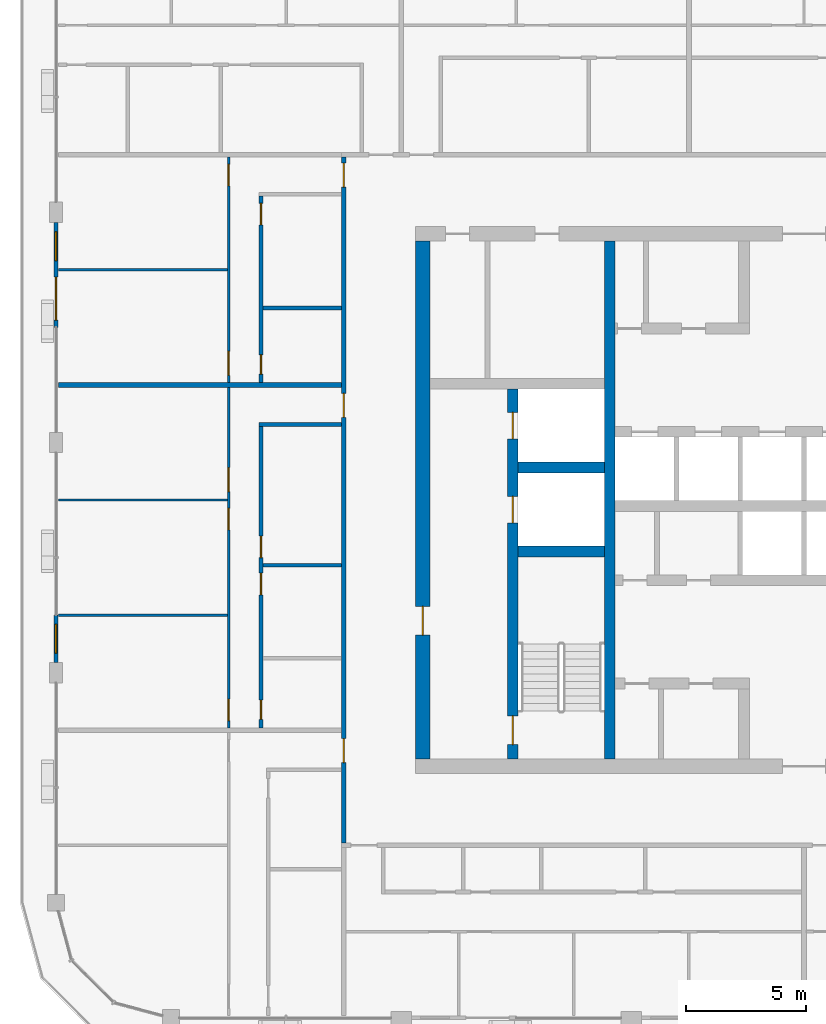
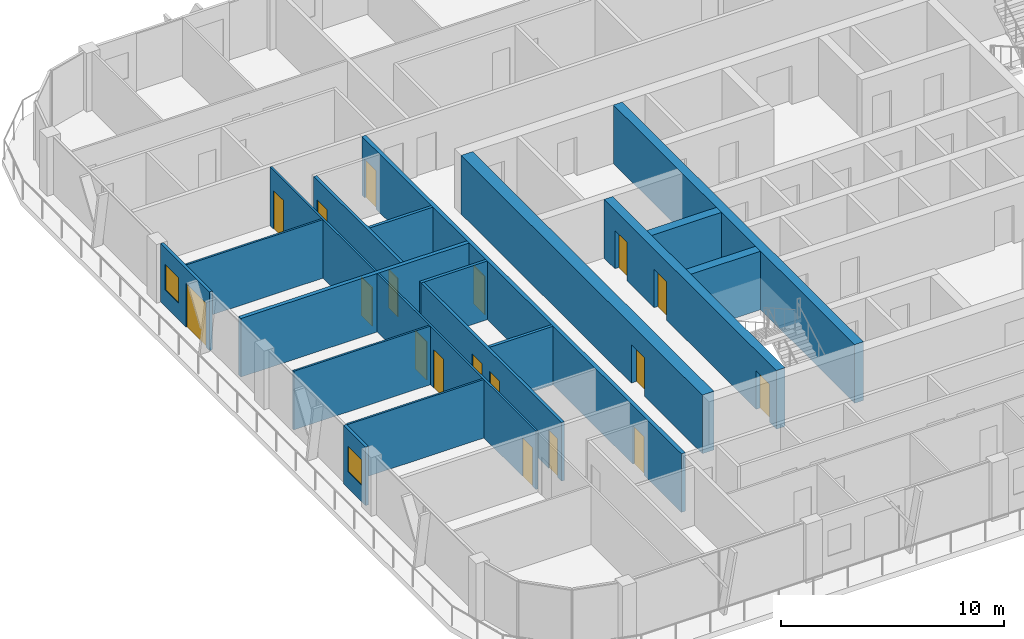
# One storey, part 10 of 21: 19 walls, 18 doors, 2 windows, 20 openings.
"""IFC4 building model written with IfcOpenShell, lengths in metres."""

import ifcopenshell
import ifcopenshell.guid

model = None  # the IFC model being written
_history = None  # IfcOwnerHistory: only IFC2X3 demands one
_inside = {}  # id of a spatial element -> (the spatial element, [elements in it])
_under = {}  # id of a project, library or spatial element -> (it, [spatial elements below it])
_declared = {}  # id of a project -> (the project, [libraries it declares])
_typed = {}  # id of a type object -> (the type object, [elements of that type])
_made_of = {}  # id of a material, layer set ... -> (it, [elements and type objects made of it])


def new_model(schema):
    """Start an empty IFC model of exactly this schema.

    Asked for "IFC4X3", IfcOpenShell would pick the latest addendum, in which some entities
    have other attributes; the version numbers below select the first issue.
    IFC2X3 requires an IfcOwnerHistory on every rooted entity: one is made here for all.
    """
    global model, _history
    if schema == "IFC4X3":
        model = ifcopenshell.file(schema_version=(4, 3, 0, 0))
    else:
        model = ifcopenshell.file(schema=schema)
    _inside.clear()
    _under.clear()
    _declared.clear()
    _typed.clear()
    _made_of.clear()
    _history = None
    if model.schema == "IFC2X3":
        org = make("IfcOrganization", Name="unknown")
        user = make(
            "IfcPersonAndOrganization",
            ThePerson=make("IfcPerson", FamilyName="unknown"),
            TheOrganization=org,
        )
        app = make(
            "IfcApplication",
            ApplicationDeveloper=org,
            Version="unknown",
            ApplicationFullName="unknown",
            ApplicationIdentifier="unknown",
        )
        _history = make(
            "IfcOwnerHistory",
            OwningUser=user,
            OwningApplication=app,
            ChangeAction="ADDED",
            CreationDate=0,
        )
    return model


def make(cls, **values):
    """One entity of the class cls with the attributes given. An attribute that is None is left unset."""
    return model.create_entity(
        cls, **{name: value for name, value in values.items() if value is not None}
    )


def rooted(cls, **values):
    """An entity with a GlobalId (a new one), such as an element, a storey or a relation."""
    return make(cls, GlobalId=ifcopenshell.guid.new(), OwnerHistory=_history, **values)


def si_unit(unit_type, name, prefix=None):
    """IfcSIUnit, for example si_unit("LENGTHUNIT", "METRE", prefix="MILLI")."""
    return make("IfcSIUnit", UnitType=unit_type, Prefix=prefix, Name=name)


def assignment(units):
    """IfcUnitAssignment: the units of a project."""
    return None if units is None else make("IfcUnitAssignment", Units=units)


def point(xyz):
    """IfcCartesianPoint."""
    return None if xyz is None else make("IfcCartesianPoint", Coordinates=xyz)


def direction(xyz):
    """IfcDirection."""
    return None if xyz is None else make("IfcDirection", DirectionRatios=xyz)


def frame(location, z_axis=None, x_axis=None):
    """IfcAxis2Placement3D, a coordinate frame: its origin and axes. An axis left out is left unset."""
    return make(
        "IfcAxis2Placement3D",
        Location=point(location),
        Axis=direction(z_axis),
        RefDirection=direction(x_axis),
    )


def frame_2d(location, x_axis=None):
    """IfcAxis2Placement2D, a coordinate frame in the plane: its origin and x axis."""
    return make(
        "IfcAxis2Placement2D", Location=point(location), RefDirection=direction(x_axis)
    )


def origin():
    """The frame at (0, 0, 0) with its axes left unset."""
    return frame((0.0, 0.0, 0.0))


def place(relative_to, where):
    """IfcLocalPlacement: puts the frame where relative to a parent placement (None: the world)."""
    return make(
        "IfcLocalPlacement", PlacementRelTo=relative_to, RelativePlacement=where
    )


def context(
    kind, dimensions, precision=None, world=None, true_north=None, identifier=None
):
    """IfcGeometricRepresentationContext, for example the 3D "Model" context."""
    return make(
        "IfcGeometricRepresentationContext",
        ContextIdentifier=identifier,
        ContextType=kind,
        CoordinateSpaceDimension=dimensions,
        Precision=precision,
        WorldCoordinateSystem=world,
        TrueNorth=true_north,
    )


def subcontext(parent, identifier, kind, view, scale=None):
    """IfcGeometricRepresentationSubContext, for example "Body" below "Model"."""
    return make(
        "IfcGeometricRepresentationSubContext",
        ContextIdentifier=identifier,
        ContextType=kind,
        ParentContext=parent,
        TargetScale=scale,
        TargetView=view,
    )


def project(units=None, contexts=None):
    """IfcProject with its units and contexts."""
    return rooted(
        "IfcProject",
        Name="project",
        RepresentationContexts=contexts,
        UnitsInContext=assignment(units),
    )


def spatial(cls, under=None, at=None, **own):
    """A site, building, storey or space (cls), placed at a placement, below another one or the project."""
    s = rooted(cls, ObjectPlacement=at, **own)
    if under is not None:
        _under.setdefault(under.id(), (under, []))[1].append(s)
    return s


def profile(cls, at=None, kind="AREA", **sizes):
    """A parametric profile (cls). Its sizes go by their IFC names, for example OverallWidth=200.0."""
    return make(cls, ProfileType=kind, Position=at, **sizes)


def rectangle(**sizes):
    """IfcRectangleProfileDef."""
    return profile("IfcRectangleProfileDef", **sizes)


def extrude(swept, where, along, depth):
    """IfcExtrudedAreaSolid: the profile swept, set in the frame where, extruded along a direction by depth."""
    return make(
        "IfcExtrudedAreaSolid",
        SweptArea=swept,
        Position=where,
        ExtrudedDirection=direction(along),
        Depth=depth,
    )


def shape(context_of_items, identifier, shape_type, items):
    """IfcShapeRepresentation: the items that make up one representation, for example the "Body"."""
    return make(
        "IfcShapeRepresentation",
        ContextOfItems=context_of_items,
        RepresentationIdentifier=identifier,
        RepresentationType=shape_type,
        Items=items,
    )


def material(Name=None, Category=None):
    """IfcMaterial."""
    return make("IfcMaterial", Name=Name, Category=Category)


def layer(
    of_material, thickness, ventilated=None, Name=None, Category=None, Priority=None
):
    """IfcMaterialLayer: one layer of a wall or slab, of a material (None: an air gap)."""
    return make(
        "IfcMaterialLayer",
        Material=of_material,
        LayerThickness=thickness,
        IsVentilated=ventilated,
        Name=Name,
        Category=Category,
        Priority=Priority,
    )


def layer_set(layers, Name=None):
    """IfcMaterialLayerSet."""
    return make("IfcMaterialLayerSet", MaterialLayers=layers, LayerSetName=Name)


def made_of(thing, what):
    """Note that an element or type object is made of a material, layer set ...; save() writes the relation."""
    if what is not None:
        _made_of.setdefault(what.id(), (what, []))[1].append(thing)
    return thing


def type_object(cls, material=None, **own):
    """A type object (cls), such as IfcWallType, which elements share."""
    return made_of(rooted(cls, **own), material)


def element(
    cls,
    number,
    at=None,
    inside=None,
    cuts=None,
    type_object=None,
    material=None,
    context=None,
    identifier="Body",
    shape_type=None,
    held_by="IfcProductDefinitionShape",
    body=None,
    shapes=None,
    **own,
):
    """One element of the class cls, such as IfcWall. Its Tag is "e" and its number.

    at: its placement. inside: the storey or other place that contains it. cuts: it is an
    opening in that element (IfcRelVoidsElement). A single representation is given by context,
    identifier, shape_type and body (its items); several are given by shapes. held_by: the class
    of the entity that holds the representations. save() writes the other relations.
    """
    e = rooted(cls, Tag="e%d" % number, ObjectPlacement=at, **own)
    if body is not None:
        shapes = [shape(context, identifier, shape_type, body)]
    if shapes is not None:
        e.Representation = make(held_by, Representations=shapes)
    if inside is not None:
        _inside.setdefault(inside.id(), (inside, []))[1].append(e)
    if cuts is not None:
        rooted(
            "IfcRelVoidsElement", RelatingBuildingElement=cuts, RelatedOpeningElement=e
        )
    if type_object is not None:
        _typed.setdefault(type_object.id(), (type_object, []))[1].append(e)
    return made_of(e, material)


def fill(opening, filler):
    """IfcRelFillsElement: the door or window that sits in an opening."""
    return rooted(
        "IfcRelFillsElement",
        RelatingOpeningElement=opening,
        RelatedBuildingElement=filler,
    )


def aggregate(whole, parts):
    """IfcRelAggregates: a whole, such as a stair, and the parts it consists of."""
    return rooted("IfcRelAggregates", RelatingObject=whole, RelatedObjects=parts)


def save(model, path):
    """Write the relations noted so far, then the file.

    IfcRelAggregates (storeys below a building ...), IfcRelContainedInSpatialStructure (elements
    in a storey), IfcRelDefinesByType, IfcRelAssociatesMaterial and IfcRelDeclares: one each for
    every whole, place, type object, material and project.
    """
    for whole, parts in _under.values():
        aggregate(whole, parts)
    for where, things in _inside.values():
        rooted(
            "IfcRelContainedInSpatialStructure",
            RelatedElements=things,
            RelatingStructure=where,
        )
    for kind, things in _typed.values():
        rooted("IfcRelDefinesByType", RelatedObjects=things, RelatingType=kind)
    for what, things in _made_of.values():
        rooted("IfcRelAssociatesMaterial", RelatedObjects=things, RelatingMaterial=what)
    for by, libraries in _declared.values():
        rooted("IfcRelDeclares", RelatingContext=by, RelatedDefinitions=libraries)
    model.write(path)


model = new_model("IFC4")

# Units and contexts
model_context = context("Model", 3, precision=1e-05, world=origin(), true_north=direction((0.0, 1.0)))
body_context = subcontext(model_context, "Body", "Model", "MODEL_VIEW")
ifc_project = project(units=[si_unit("LENGTHUNIT", "METRE"), si_unit("AREAUNIT", "SQUARE_METRE"), si_unit("VOLUMEUNIT", "CUBIC_METRE"), si_unit("PLANEANGLEUNIT", "RADIAN"), si_unit("MASSUNIT", "GRAM", prefix="KILO")], contexts=[model_context])

# Site, building, storey
site_placement = place(None, origin())
site = spatial("IfcSite", under=ifc_project, at=site_placement, CompositionType="ELEMENT")
building_placement = place(site_placement, origin())
building = spatial("IfcBuilding", under=site, at=building_placement, Name="Madar Terraces", CompositionType="ELEMENT")
storey_placement = place(building_placement, frame((0.0, 0.0, 245.699951171875)))
storey = spatial("IfcBuildingStorey", under=building, at=storey_placement, Name="L64", CompositionType="ELEMENT", Elevation=245.699951171875)

# Wall, openings, doors
ifc_material_1 = material(Name="Concrete C55/67", Category="concrete")
ifc_layer_1 = layer(ifc_material_1, 0.449951171875)
ifc_layer_set_1 = layer_set([ifc_layer_1], Name="Concrete C55/67 (CIW5 RC wall 450)")
wall_type_1 = type_object("IfcWallType", Name="CIW5 RC wall 450", PredefinedType="SHEAR", material=ifc_layer_set_1)
wall_1_placement = place(storey_placement, frame((19.050048828125, 15.60009765625, 0.0), z_axis=(0.0, 0.0, 1.0), x_axis=(0.0, 1.0, 0.0)))
wall_1 = element("IfcWall", 1, at=wall_1_placement, inside=storey, type_object=wall_type_1, Name="CORE SHAFT WALL", PredefinedType="SHEAR", context=body_context, shape_type="SweptSolid", body=[
    extrude(rectangle(XDim=15.4248046875, YDim=0.449951171875, at=frame_2d((7.71240234375, 0.0))), origin(), (0.0, 0.0, 1.0), 3.199951171875),
])
opening_1_placement = place(wall_1_placement, frame((9.85009765625, 0.0, 0.0)))
opening_1 = element("IfcOpeningElement", 2, at=opening_1_placement, cuts=wall_1, Name="Opening LD", PredefinedType="OPENING", context=body_context, shape_type="SweptSolid", body=[
    extrude(rectangle(XDim=1.10009765625, YDim=2.10009765625, at=frame_2d((0.550048828125, 1.050048828125))), frame((0.0, 0.23486328125, 0.0), z_axis=(0.0, -1.0, 0.0), x_axis=(1.0, 0.0, 0.0)), (0.0, 0.0, 1.0), 0.469970703125),
])
opening_2_placement = place(wall_1_placement, frame((13.35009765625, 0.0, 0.0)))
opening_2 = element("IfcOpeningElement", 3, at=opening_2_placement, cuts=wall_1, Name="Opening LD", PredefinedType="OPENING", context=body_context, shape_type="SweptSolid", body=[
    extrude(rectangle(XDim=1.10009765625, YDim=2.10009765625, at=frame_2d((0.550048828125, 1.050048828125))), frame((0.0, 0.23486328125, 0.0), z_axis=(0.0, -1.0, 0.0), x_axis=(1.0, 0.0, 0.0)), (0.0, 0.0, 1.0), 0.469970703125),
])
opening_3_placement = place(wall_1_placement, frame((0.60009765625, 0.0, 0.0)))
opening_3 = element("IfcOpeningElement", 4, at=opening_3_placement, cuts=wall_1, Name="Opening SD1", PredefinedType="OPENING", context=body_context, shape_type="SweptSolid", body=[
    extrude(rectangle(XDim=1.199951171875, YDim=2.10009765625, at=frame_2d((0.60009765625, 1.050048828125))), frame((0.0, 0.23486328125, 0.0), z_axis=(0.0, -1.0, 0.0), x_axis=(1.0, 0.0, 0.0)), (0.0, 0.0, 1.0), 0.469970703125),
])
ifc_material_2 = material(Name="Stainless steel panel", Category="steel")
door_type_1 = type_object("IfcDoorType", Name="Lift landing door 1100 x 2100", OperationType="DOUBLE_DOOR_SLIDING", PredefinedType="DOOR", material=ifc_material_2)
door_1_placement = place(opening_1_placement, origin())
door_1 = element("IfcDoor", 5, at=door_1_placement, inside=storey, type_object=door_type_1, Name="LIFT LANDING DOOR", OperationType="DOUBLE_DOOR_SLIDING", OverallHeight=2.10009765625, OverallWidth=1.10009765625, PredefinedType="DOOR", context=body_context, shape_type="SweptSolid", body=[
    extrude(rectangle(XDim=1.10009765625, YDim=2.10009765625, at=frame_2d((0.550048828125, 1.050048828125))), frame((0.0, 0.02490234375, 0.0), z_axis=(0.0, -1.0, 0.0), x_axis=(1.0, 0.0, 0.0)), (0.0, 0.0, 1.0), 0.050048828125),
])
fill(opening_1, door_1)
door_2_placement = place(opening_2_placement, origin())
door_2 = element("IfcDoor", 6, at=door_2_placement, inside=storey, type_object=door_type_1, Name="LIFT LANDING DOOR", OperationType="DOUBLE_DOOR_SLIDING", OverallHeight=2.10009765625, OverallWidth=1.10009765625, PredefinedType="DOOR", context=body_context, shape_type="SweptSolid", body=[
    extrude(rectangle(XDim=1.10009765625, YDim=2.10009765625, at=frame_2d((0.550048828125, 1.050048828125))), frame((0.0, 0.02490234375, 0.0), z_axis=(0.0, -1.0, 0.0), x_axis=(1.0, 0.0, 0.0)), (0.0, 0.0, 1.0), 0.050048828125),
])
fill(opening_2, door_2)
ifc_material_3 = material(Name="Steel door leaf", Category="steel")
door_type_2 = type_object("IfcDoorType", Name="Stair door 1200 x 2100", OperationType="NOTDEFINED", PredefinedType="DOOR", material=ifc_material_3)
door_3_placement = place(opening_3_placement, frame((1.199951171875, 0.0, 0.0), z_axis=(0.0, 0.0, 1.0), x_axis=(-1.0, 0.0, 0.0)))
door_3 = element("IfcDoor", 7, at=door_3_placement, inside=storey, type_object=door_type_2, Name="STAIR DOOR", OperationType="SINGLE_SWING_RIGHT", OverallHeight=2.10009765625, OverallWidth=1.199951171875, PredefinedType="DOOR", context=body_context, shape_type="SweptSolid", body=[
    extrude(rectangle(XDim=1.199951171875, YDim=2.10009765625, at=frame_2d((0.60009765625, 1.050048828125))), frame((0.0, 0.02490234375, 0.0), z_axis=(0.0, -1.0, 0.0), x_axis=(1.0, 0.0, 0.0)), (0.0, 0.0, 1.0), 0.050048828125),
])
fill(opening_3, door_3)

# Walls
wall_2_placement = place(storey_placement, frame((23.10009765625, 15.60009765625, 0.0), z_axis=(0.0, 0.0, 1.0), x_axis=(0.0, 1.0, 0.0)))
element("IfcWall", 8, at=wall_2_placement, inside=storey, type_object=wall_type_1, Name="CORE SHAFT WALL", PredefinedType="SHEAR", context=body_context, shape_type="SweptSolid", body=[
    extrude(rectangle(XDim=21.599853515625, YDim=0.449951171875, at=frame_2d((10.7998046875, 0.0))), origin(), (0.0, 0.0, 1.0), 3.199951171875),
])
for number, where, z_axis, x_axis, name in (
    (9, (19.27490234375, 24.25, 0.0), (0.0, 0.0, 1.0), (1.0, 0.0, 0.0), "CORE SHAFT WALL"),
    (10, (19.27490234375, 27.75, 0.0), (0.0, 0.0, 1.0), (1.0, 0.0, 0.0), "CORE SHAFT WALL"),
):
    element("IfcWall", number, at=place(storey_placement, frame(where, z_axis=z_axis, x_axis=x_axis)), inside=storey, type_object=wall_type_1, Name=name, PredefinedType="SHEAR", context=body_context, shape_type="SweptSolid", body=[
        extrude(rectangle(XDim=3.60009765625, YDim=0.449951171875, at=frame_2d((1.800048828125, 0.0))), origin(), (0.0, 0.0, 1.0), 3.199951171875),
    ])

# Wall, opening, door
ifc_material_4 = material(Name="Concrete C55/67", Category="concrete")
ifc_layer_2 = layer(ifc_material_4, 0.60009765625)
ifc_layer_set_2 = layer_set([ifc_layer_2], Name="Concrete C55/67 (CRW5 RC wall 600)")
wall_type_2 = type_object("IfcWallType", Name="CRW5 RC wall 600", PredefinedType="SHEAR", material=ifc_layer_set_2)
wall_3_placement = place(storey_placement, frame((15.300048828125, 15.60009765625, 0.0), z_axis=(0.0, 0.0, 1.0), x_axis=(0.0, 1.0, 0.0)))
wall_3 = element("IfcWall", 11, at=wall_3_placement, inside=storey, type_object=wall_type_2, Name="CORE OUTER WALL", PredefinedType="SHEAR", context=body_context, shape_type="SweptSolid", body=[
    extrude(rectangle(XDim=21.599853515625, YDim=0.60009765625, at=frame_2d((10.7998046875, 0.0))), origin(), (0.0, 0.0, 1.0), 3.199951171875),
])
opening_4_placement = place(wall_3_placement, frame((5.159912109375, 0.0, 0.0)))
opening_4 = element("IfcOpeningElement", 12, at=opening_4_placement, cuts=wall_3, Name="Opening SD1", PredefinedType="OPENING", context=body_context, shape_type="SweptSolid", body=[
    extrude(rectangle(XDim=1.199951171875, YDim=2.10009765625, at=frame_2d((0.60009765625, 1.050048828125))), frame((0.0, 0.31005859375, 0.0), z_axis=(0.0, -1.0, 0.0), x_axis=(1.0, 0.0, 0.0)), (0.0, 0.0, 1.0), 0.6201171875),
])
door_4_placement = place(opening_4_placement, frame((1.199951171875, 0.0, 0.0), z_axis=(0.0, 0.0, 1.0), x_axis=(-1.0, 0.0, 0.0)))
door_4 = element("IfcDoor", 13, at=door_4_placement, inside=storey, type_object=door_type_2, Name="STAIR DOOR", OperationType="SINGLE_SWING_LEFT", OverallHeight=2.10009765625, OverallWidth=1.199951171875, PredefinedType="DOOR", context=body_context, shape_type="SweptSolid", body=[
    extrude(rectangle(XDim=1.199951171875, YDim=2.10009765625, at=frame_2d((0.60009765625, 1.050048828125))), frame((0.0, 0.02490234375, 0.0), z_axis=(0.0, -1.0, 0.0), x_axis=(1.0, 0.0, 0.0)), (0.0, 0.0, 1.0), 0.050048828125),
])
fill(opening_4, door_4)

# Wall, openings, door, window
ifc_material_5 = material(Name="Aluminium composite panel, black, over insulated backing", Category="aluminium")
ifc_layer_3 = layer(ifc_material_5, 0.14990234375)
ifc_layer_set_3 = layer_set([ifc_layer_3], Name="Facade bay panel 150")
wall_type_3 = type_object("IfcWallType", Name="Facade bay panel 150", PredefinedType="SOLIDWALL", material=ifc_layer_set_3)
wall_4_placement = place(storey_placement, frame((0.0, 37.97509765625, 0.0), z_axis=(0.0, 0.0, 1.0), x_axis=(0.0, -1.0, 0.0)))
wall_4 = element("IfcWall", 14, at=wall_4_placement, inside=storey, type_object=wall_type_3, Name="Facade bay panel", PredefinedType="SOLIDWALL", context=body_context, shape_type="SweptSolid", body=[
    extrude(rectangle(XDim=4.375, YDim=0.14990234375, at=frame_2d((2.1875, 0.0))), origin(), (0.0, 0.0, 1.0), 3.199951171875),
])
opening_5_placement = place(wall_4_placement, frame((0.387451171875, 0.0, 0.89990234375)))
opening_5 = element("IfcOpeningElement", 15, at=opening_5_placement, cuts=wall_4, Name="Opening W1", PredefinedType="OPENING", context=body_context, shape_type="SweptSolid", body=[
    extrude(rectangle(XDim=1.199951171875, YDim=1.39990234375, at=frame_2d((0.60009765625, 0.699951171875))), frame((0.0, 0.0849609375, 0.0), z_axis=(0.0, -1.0, 0.0), x_axis=(1.0, 0.0, 0.0)), (0.0, 0.0, 1.0), 0.169921875),
])
opening_6_placement = place(wall_4_placement, frame((2.27490234375, 0.0, 0.0)))
opening_6 = element("IfcOpeningElement", 16, at=opening_6_placement, cuts=wall_4, Name="Opening ED1", PredefinedType="OPENING", context=body_context, shape_type="SweptSolid", body=[
    extrude(rectangle(XDim=1.800048828125, YDim=2.39990234375, at=frame_2d((0.89990234375, 1.199951171875))), frame((0.0, 0.0849609375, 0.0), z_axis=(0.0, -1.0, 0.0), x_axis=(1.0, 0.0, 0.0)), (0.0, 0.0, 1.0), 0.169921875),
])
ifc_material_6 = material(Name="Glass, clear, with black aluminium frame", Category="aluminium")
door_type_3 = type_object("IfcDoorType", Name="Balcony and terrace sliding door 1800 x 2400", OperationType="SLIDING_TO_LEFT", PredefinedType="DOOR", material=ifc_material_6)
door_5_placement = place(opening_6_placement, origin())
door_5 = element("IfcDoor", 17, at=door_5_placement, inside=storey, type_object=door_type_3, Name="Balcony door", OperationType="SLIDING_TO_LEFT", OverallHeight=2.39990234375, OverallWidth=1.800048828125, PredefinedType="DOOR", context=body_context, shape_type="SweptSolid", body=[
    extrude(rectangle(XDim=1.800048828125, YDim=2.39990234375, at=frame_2d((0.89990234375, 1.199951171875))), frame((0.0, 0.02490234375, 0.0), z_axis=(0.0, -1.0, 0.0), x_axis=(1.0, 0.0, 0.0)), (0.0, 0.0, 1.0), 0.050048828125),
])
fill(opening_6, door_5)
ifc_material_7 = material(Name="Glass, clear, with black aluminium frame", Category="aluminium")
window_type = type_object("IfcWindowType", Name="Vent window 1200 x 1400", PartitioningType="SINGLE_PANEL", PredefinedType="WINDOW", material=ifc_material_7)
window_1_placement = place(opening_5_placement, origin())
window_1 = element("IfcWindow", 18, at=window_1_placement, inside=storey, type_object=window_type, Name="Operable vent window", OverallHeight=1.39990234375, OverallWidth=1.199951171875, PartitioningType="SINGLE_PANEL", PredefinedType="WINDOW", context=body_context, shape_type="SweptSolid", body=[
    extrude(rectangle(XDim=1.199951171875, YDim=1.39990234375, at=frame_2d((0.60009765625, 0.699951171875))), frame((0.0, 0.030029296875, 0.0), z_axis=(0.0, -1.0, 0.0), x_axis=(1.0, 0.0, 0.0)), (0.0, 0.0, 1.0), 0.06005859375),
])
fill(opening_5, window_1)

# Wall, opening, window
wall_5_placement = place(storey_placement, frame((0.0, 21.60009765625, 0.0), z_axis=(0.0, 0.0, 1.0), x_axis=(0.0, -1.0, 0.0)))
wall_5 = element("IfcWall", 19, at=wall_5_placement, inside=storey, type_object=wall_type_3, Name="Facade bay panel", PredefinedType="SOLIDWALL", context=body_context, shape_type="SweptSolid", body=[
    extrude(rectangle(XDim=1.97509765625, YDim=0.14990234375, at=frame_2d((0.987548828125, 0.0))), origin(), (0.0, 0.0, 1.0), 3.199951171875),
])
opening_7_placement = place(wall_5_placement, frame((0.387451171875, 0.0, 0.89990234375)))
opening_7 = element("IfcOpeningElement", 20, at=opening_7_placement, cuts=wall_5, Name="Opening W1", PredefinedType="OPENING", context=body_context, shape_type="SweptSolid", body=[
    extrude(rectangle(XDim=1.199951171875, YDim=1.39990234375, at=frame_2d((0.60009765625, 0.699951171875))), frame((0.0, 0.0849609375, 0.0), z_axis=(0.0, -1.0, 0.0), x_axis=(1.0, 0.0, 0.0)), (0.0, 0.0, 1.0), 0.169921875),
])
window_2_placement = place(opening_7_placement, origin())
window_2 = element("IfcWindow", 21, at=window_2_placement, inside=storey, type_object=window_type, Name="Operable vent window", OverallHeight=1.39990234375, OverallWidth=1.199951171875, PartitioningType="SINGLE_PANEL", PredefinedType="WINDOW", context=body_context, shape_type="SweptSolid", body=[
    extrude(rectangle(XDim=1.199951171875, YDim=1.39990234375, at=frame_2d((0.60009765625, 0.699951171875))), frame((0.0, 0.030029296875, 0.0), z_axis=(0.0, -1.0, 0.0), x_axis=(1.0, 0.0, 0.0)), (0.0, 0.0, 1.0), 0.06005859375),
])
fill(opening_7, window_2)

# Wall
ifc_material_8 = material(Name="Gypsum board on steel studs", Category="steel")
ifc_layer_4 = layer(ifc_material_8, 0.10009765625)
ifc_layer_set_4 = layer_set([ifc_layer_4], Name="Flat partition 100")
wall_type_4 = type_object("IfcWallType", Name="Flat partition 100", PredefinedType="PARTITIONING", material=ifc_layer_set_4)
wall_6_placement = place(storey_placement, frame((7.14990234375, 36.0, 0.0), z_axis=(0.0, 0.0, 1.0), x_axis=(-1.0, 0.0, 0.0)))
element("IfcWall", 22, at=wall_6_placement, inside=storey, type_object=wall_type_4, Name="Flat partition 100", PredefinedType="PARTITIONING", context=body_context, shape_type="SweptSolid", body=[
    extrude(rectangle(XDim=7.0498046875, YDim=0.10009765625, at=frame_2d((3.52490234375, 0.0))), origin(), (0.0, 0.0, 1.0), 3.199951171875),
])

# Wall, openings, doors
wall_7_placement = place(storey_placement, frame((7.199951171875, 31.300048828125, 0.0), z_axis=(0.0, 0.0, 1.0), x_axis=(0.0, 1.0, 0.0)))
wall_7 = element("IfcWall", 23, at=wall_7_placement, inside=storey, type_object=wall_type_4, Name="Flat partition 100", PredefinedType="PARTITIONING", context=body_context, shape_type="SweptSolid", body=[
    extrude(rectangle(XDim=9.39990234375, YDim=0.10009765625, at=frame_2d((4.699951171875, 0.0))), origin(), (0.0, 0.0, 1.0), 3.199951171875),
])
opening_8_placement = place(wall_7_placement, frame((8.199951171875, 0.0, 0.0)))
opening_8 = element("IfcOpeningElement", 24, at=opening_8_placement, cuts=wall_7, Name="Opening D2", PredefinedType="OPENING", context=body_context, shape_type="SweptSolid", body=[
    extrude(rectangle(XDim=0.89990234375, YDim=2.10009765625, at=frame_2d((0.449951171875, 1.050048828125))), frame((0.0, 0.06005859375, 0.0), z_axis=(0.0, -1.0, 0.0), x_axis=(1.0, 0.0, 0.0)), (0.0, 0.0, 1.0), 0.1201171875),
])
opening_9_placement = place(wall_7_placement, frame((0.300048828125, 0.0, 0.0)))
opening_9 = element("IfcOpeningElement", 25, at=opening_9_placement, cuts=wall_7, Name="Opening D3", PredefinedType="OPENING", context=body_context, shape_type="SweptSolid", body=[
    extrude(rectangle(XDim=1.0, YDim=2.10009765625, at=frame_2d((0.5, 1.050048828125))), frame((0.0, 0.06005859375, 0.0), z_axis=(0.0, -1.0, 0.0), x_axis=(1.0, 0.0, 0.0)), (0.0, 0.0, 1.0), 0.1201171875),
])
ifc_material_9 = material(Name="Timber door leaf", Category="wood")
door_type_4 = type_object("IfcDoorType", Name="Flat living room door 1000", OperationType="NOTDEFINED", PredefinedType="DOOR", material=ifc_material_9)
door_6_placement = place(opening_9_placement, origin())
door_6 = element("IfcDoor", 26, at=door_6_placement, inside=storey, type_object=door_type_4, Name="Flat living room door 1000", OperationType="SINGLE_SWING_LEFT", OverallHeight=2.10009765625, OverallWidth=1.0, PredefinedType="DOOR", context=body_context, shape_type="SweptSolid", body=[
    extrude(rectangle(XDim=1.0, YDim=2.10009765625, at=frame_2d((0.5, 1.050048828125))), frame((0.0, 0.02490234375, 0.0), z_axis=(0.0, -1.0, 0.0), x_axis=(1.0, 0.0, 0.0)), (0.0, 0.0, 1.0), 0.050048828125),
])
fill(opening_9, door_6)
ifc_material_10 = material(Name="Timber door leaf", Category="wood")
door_type_5 = type_object("IfcDoorType", Name="Flat room door 900", OperationType="NOTDEFINED", PredefinedType="DOOR", material=ifc_material_10)
door_7_placement = place(opening_8_placement, origin())
door_7 = element("IfcDoor", 27, at=door_7_placement, inside=storey, type_object=door_type_5, Name="Flat room door 900", OperationType="SINGLE_SWING_RIGHT", OverallHeight=2.10009765625, OverallWidth=0.89990234375, PredefinedType="DOOR", context=body_context, shape_type="SweptSolid", body=[
    extrude(rectangle(XDim=0.89990234375, YDim=2.10009765625, at=frame_2d((0.449951171875, 1.050048828125))), frame((0.0, 0.02490234375, 0.0), z_axis=(0.0, -1.0, 0.0), x_axis=(1.0, 0.0, 0.0)), (0.0, 0.0, 1.0), 0.050048828125),
])
fill(opening_8, door_7)

# Walls
for number, where, z_axis, x_axis, name in (
    (28, (7.14990234375, 26.39990234375, 0.0), (0.0, 0.0, 1.0), (-1.0, 0.0, 0.0), "Flat partition 100"),
    (29, (7.14990234375, 21.60009765625, 0.0), (0.0, 0.0, 1.0), (-1.0, 0.0, 0.0), "Flat partition 100"),
):
    element("IfcWall", number, at=place(storey_placement, frame(where, z_axis=z_axis, x_axis=x_axis)), inside=storey, type_object=wall_type_4, Name=name, PredefinedType="PARTITIONING", context=body_context, shape_type="SweptSolid", body=[
        extrude(rectangle(XDim=7.0498046875, YDim=0.10009765625, at=frame_2d((3.52490234375, 0.0))), origin(), (0.0, 0.0, 1.0), 3.199951171875),
    ])

# Wall, openings, doors
wall_8_placement = place(storey_placement, frame((7.199951171875, 16.89990234375, 0.0), z_axis=(0.0, 0.0, 1.0), x_axis=(0.0, 1.0, 0.0)))
wall_8 = element("IfcWall", 30, at=wall_8_placement, inside=storey, type_object=wall_type_4, Name="Flat partition 100", PredefinedType="PARTITIONING", context=body_context, shape_type="SweptSolid", body=[
    extrude(rectangle(XDim=14.2001953125, YDim=0.10009765625, at=frame_2d((7.10009765625, 0.0))), origin(), (0.0, 0.0, 1.0), 3.199951171875),
])
opening_10_placement = place(wall_8_placement, frame((9.85009765625, 0.0, 0.0)))
opening_10 = element("IfcOpeningElement", 31, at=opening_10_placement, cuts=wall_8, Name="Opening D3", PredefinedType="OPENING", context=body_context, shape_type="SweptSolid", body=[
    extrude(rectangle(XDim=1.0, YDim=2.10009765625, at=frame_2d((0.5, 1.050048828125))), frame((0.0, 0.06005859375, 0.0), z_axis=(0.0, -1.0, 0.0), x_axis=(1.0, 0.0, 0.0)), (0.0, 0.0, 1.0), 0.1201171875),
])
opening_11_placement = place(wall_8_placement, frame((8.25, 0.0, 0.0)))
opening_11 = element("IfcOpeningElement", 32, at=opening_11_placement, cuts=wall_8, Name="Opening D2", PredefinedType="OPENING", context=body_context, shape_type="SweptSolid", body=[
    extrude(rectangle(XDim=0.89990234375, YDim=2.10009765625, at=frame_2d((0.449951171875, 1.050048828125))), frame((0.0, 0.06005859375, 0.0), z_axis=(0.0, -1.0, 0.0), x_axis=(1.0, 0.0, 0.0)), (0.0, 0.0, 1.0), 0.1201171875),
])
opening_12_placement = place(wall_8_placement, frame((0.300048828125, 0.0, 0.0)))
opening_12 = element("IfcOpeningElement", 33, at=opening_12_placement, cuts=wall_8, Name="Opening D2", PredefinedType="OPENING", context=body_context, shape_type="SweptSolid", body=[
    extrude(rectangle(XDim=0.89990234375, YDim=2.10009765625, at=frame_2d((0.449951171875, 1.050048828125))), frame((0.0, 0.06005859375, 0.0), z_axis=(0.0, -1.0, 0.0), x_axis=(1.0, 0.0, 0.0)), (0.0, 0.0, 1.0), 0.1201171875),
])
door_8_placement = place(opening_10_placement, origin())
door_8 = element("IfcDoor", 34, at=door_8_placement, inside=storey, type_object=door_type_4, Name="Flat living room door 1000", OperationType="SINGLE_SWING_LEFT", OverallHeight=2.10009765625, OverallWidth=1.0, PredefinedType="DOOR", context=body_context, shape_type="SweptSolid", body=[
    extrude(rectangle(XDim=1.0, YDim=2.10009765625, at=frame_2d((0.5, 1.050048828125))), frame((0.0, 0.02490234375, 0.0), z_axis=(0.0, -1.0, 0.0), x_axis=(1.0, 0.0, 0.0)), (0.0, 0.0, 1.0), 0.050048828125),
])
fill(opening_10, door_8)
door_9_placement = place(opening_11_placement, origin())
door_9 = element("IfcDoor", 35, at=door_9_placement, inside=storey, type_object=door_type_5, Name="Flat room door 900", OperationType="SINGLE_SWING_RIGHT", OverallHeight=2.10009765625, OverallWidth=0.89990234375, PredefinedType="DOOR", context=body_context, shape_type="SweptSolid", body=[
    extrude(rectangle(XDim=0.89990234375, YDim=2.10009765625, at=frame_2d((0.449951171875, 1.050048828125))), frame((0.0, 0.02490234375, 0.0), z_axis=(0.0, -1.0, 0.0), x_axis=(1.0, 0.0, 0.0)), (0.0, 0.0, 1.0), 0.050048828125),
])
fill(opening_11, door_9)
door_10_placement = place(opening_12_placement, origin())
door_10 = element("IfcDoor", 36, at=door_10_placement, inside=storey, type_object=door_type_5, Name="Flat room door 900", OperationType="SINGLE_SWING_LEFT", OverallHeight=2.10009765625, OverallWidth=0.89990234375, PredefinedType="DOOR", context=body_context, shape_type="SweptSolid", body=[
    extrude(rectangle(XDim=0.89990234375, YDim=2.10009765625, at=frame_2d((0.449951171875, 1.050048828125))), frame((0.0, 0.02490234375, 0.0), z_axis=(0.0, -1.0, 0.0), x_axis=(1.0, 0.0, 0.0)), (0.0, 0.0, 1.0), 0.050048828125),
])
fill(opening_12, door_10)

ifc_material_11 = material(Name="Lightweight blockwork", Category="masonry")
ifc_layer_5 = layer(ifc_material_11, 0.199951171875)
ifc_layer_set_5 = layer_set([ifc_layer_5], Name="Flat party and entrance wall 200")
wall_type_5 = type_object("IfcWallType", Name="Flat party and entrance wall 200", PredefinedType="PARTITIONING", material=ifc_layer_set_5)
wall_9_placement = place(storey_placement, frame((12.0, 12.10009765625, 0.0), z_axis=(0.0, 0.0, 1.0), x_axis=(0.0, 1.0, 0.0)))
wall_9 = element("IfcWall", 37, at=wall_9_placement, inside=storey, type_object=wall_type_5, Name="Flat party and entrance wall 200", PredefinedType="PARTITIONING", context=body_context, shape_type="SweptSolid", body=[
    extrude(rectangle(XDim=28.599853515625, YDim=0.199951171875, at=frame_2d((14.2998046875, 0.0))), origin(), (0.0, 0.0, 1.0), 3.199951171875),
])
opening_13_placement = place(wall_9_placement, frame((27.35009765625, 0.0, 0.0)))
opening_13 = element("IfcOpeningElement", 38, at=opening_13_placement, cuts=wall_9, Name="Opening D1", PredefinedType="OPENING", context=body_context, shape_type="SweptSolid", body=[
    extrude(rectangle(XDim=1.0, YDim=2.10009765625, at=frame_2d((0.5, 1.050048828125))), frame((0.0, 0.10986328125, 0.0), z_axis=(0.0, -1.0, 0.0), x_axis=(1.0, 0.0, 0.0)), (0.0, 0.0, 1.0), 0.219970703125),
])
opening_14_placement = place(wall_9_placement, frame((17.75, 0.0, 0.0)))
opening_14 = element("IfcOpeningElement", 39, at=opening_14_placement, cuts=wall_9, Name="Opening D1", PredefinedType="OPENING", context=body_context, shape_type="SweptSolid", body=[
    extrude(rectangle(XDim=1.0, YDim=2.10009765625, at=frame_2d((0.5, 1.050048828125))), frame((0.0, 0.10986328125, 0.0), z_axis=(0.0, -1.0, 0.0), x_axis=(1.0, 0.0, 0.0)), (0.0, 0.0, 1.0), 0.219970703125),
])
opening_15_placement = place(wall_9_placement, frame((3.35009765625, 0.0, 0.0)))
opening_15 = element("IfcOpeningElement", 40, at=opening_15_placement, cuts=wall_9, Name="Opening D1", PredefinedType="OPENING", context=body_context, shape_type="SweptSolid", body=[
    extrude(rectangle(XDim=1.0, YDim=2.10009765625, at=frame_2d((0.5, 1.050048828125))), frame((0.0, 0.10986328125, 0.0), z_axis=(0.0, -1.0, 0.0), x_axis=(1.0, 0.0, 0.0)), (0.0, 0.0, 1.0), 0.219970703125),
])
ifc_material_12 = material(Name="Timber fire door leaf", Category="wood")
door_type_6 = type_object("IfcDoorType", Name="Flat entrance door 1000 FD30S", OperationType="NOTDEFINED", PredefinedType="DOOR", material=ifc_material_12)
door_11_placement = place(opening_13_placement, origin())
door_11 = element("IfcDoor", 41, at=door_11_placement, inside=storey, type_object=door_type_6, Name="Flat entrance door 1000 FD30S", OperationType="SINGLE_SWING_RIGHT", OverallHeight=2.10009765625, OverallWidth=1.0, PredefinedType="DOOR", context=body_context, shape_type="SweptSolid", body=[
    extrude(rectangle(XDim=1.0, YDim=2.10009765625, at=frame_2d((0.5, 1.050048828125))), frame((0.0, 0.02490234375, 0.0), z_axis=(0.0, -1.0, 0.0), x_axis=(1.0, 0.0, 0.0)), (0.0, 0.0, 1.0), 0.050048828125),
])
fill(opening_13, door_11)
door_12_placement = place(opening_14_placement, origin())
door_12 = element("IfcDoor", 42, at=door_12_placement, inside=storey, type_object=door_type_6, Name="Flat entrance door 1000 FD30S", OperationType="SINGLE_SWING_RIGHT", OverallHeight=2.10009765625, OverallWidth=1.0, PredefinedType="DOOR", context=body_context, shape_type="SweptSolid", body=[
    extrude(rectangle(XDim=1.0, YDim=2.10009765625, at=frame_2d((0.5, 1.050048828125))), frame((0.0, 0.02490234375, 0.0), z_axis=(0.0, -1.0, 0.0), x_axis=(1.0, 0.0, 0.0)), (0.0, 0.0, 1.0), 0.050048828125),
])
fill(opening_14, door_12)
door_13_placement = place(opening_15_placement, origin())
door_13 = element("IfcDoor", 43, at=door_13_placement, inside=storey, type_object=door_type_6, Name="Flat entrance door 1000 FD30S", OperationType="SINGLE_SWING_RIGHT", OverallHeight=2.10009765625, OverallWidth=1.0, PredefinedType="DOOR", context=body_context, shape_type="SweptSolid", body=[
    extrude(rectangle(XDim=1.0, YDim=2.10009765625, at=frame_2d((0.5, 1.050048828125))), frame((0.0, 0.02490234375, 0.0), z_axis=(0.0, -1.0, 0.0), x_axis=(1.0, 0.0, 0.0)), (0.0, 0.0, 1.0), 0.050048828125),
])
fill(opening_15, door_13)

# Walls
wall_10_placement = place(storey_placement, frame((0.10009765625, 31.199951171875, 0.0), z_axis=(0.0, 0.0, 1.0), x_axis=(1.0, 0.0, 0.0)))
element("IfcWall", 44, at=wall_10_placement, inside=storey, type_object=wall_type_5, Name="Flat party and entrance wall 200", PredefinedType="PARTITIONING", context=body_context, shape_type="SweptSolid", body=[
    extrude(rectangle(XDim=11.7998046875, YDim=0.199951171875, at=frame_2d((5.89990234375, 0.0))), origin(), (0.0, 0.0, 1.0), 3.199951171875),
])
ifc_material_13 = material(Name="Lightweight blockwork", Category="masonry")
ifc_layer_6 = layer(ifc_material_13, 0.14990234375)
ifc_layer_set_6 = layer_set([ifc_layer_6], Name="Flat wet-room partition 150")
wall_type_6 = type_object("IfcWallType", Name="Flat wet-room partition 150", PredefinedType="PARTITIONING", material=ifc_layer_set_6)
wall_11_placement = place(storey_placement, frame((11.89990234375, 34.409912109375, 0.0), z_axis=(0.0, 0.0, 1.0), x_axis=(-1.0, 0.0, 0.0)))
element("IfcWall", 45, at=wall_11_placement, inside=storey, type_object=wall_type_6, Name="Flat wet-room partition 150", PredefinedType="PARTITIONING", context=body_context, shape_type="SweptSolid", body=[
    extrude(rectangle(XDim=3.27490234375, YDim=0.14990234375, at=frame_2d((1.637451171875, 0.0))), origin(), (0.0, 0.0, 1.0), 3.199951171875),
])

# Wall, openings, doors
wall_12_placement = place(storey_placement, frame((8.550048828125, 39.074951171875, 0.0), z_axis=(0.0, 0.0, 1.0), x_axis=(0.0, -1.0, 0.0)))
wall_12 = element("IfcWall", 46, at=wall_12_placement, inside=storey, type_object=wall_type_6, Name="Flat wet-room partition 150", PredefinedType="PARTITIONING", context=body_context, shape_type="SweptSolid", body=[
    extrude(rectangle(XDim=7.77490234375, YDim=0.14990234375, at=frame_2d((3.887451171875, 0.0))), origin(), (0.0, 0.0, 1.0), 3.199951171875),
])
opening_16_placement = place(wall_12_placement, frame((0.300048828125, 0.0, 0.0)))
opening_16 = element("IfcOpeningElement", 47, at=opening_16_placement, cuts=wall_12, Name="Opening D2", PredefinedType="OPENING", context=body_context, shape_type="SweptSolid", body=[
    extrude(rectangle(XDim=0.89990234375, YDim=2.10009765625, at=frame_2d((0.449951171875, 1.050048828125))), frame((0.0, 0.0849609375, 0.0), z_axis=(0.0, -1.0, 0.0), x_axis=(1.0, 0.0, 0.0)), (0.0, 0.0, 1.0), 0.169921875),
])
opening_17_placement = place(wall_12_placement, frame((6.625, 0.0, 0.0)))
opening_17 = element("IfcOpeningElement", 48, at=opening_17_placement, cuts=wall_12, Name="Opening D4", PredefinedType="OPENING", context=body_context, shape_type="SweptSolid", body=[
    extrude(rectangle(XDim=0.800048828125, YDim=2.10009765625, at=frame_2d((0.39990234375, 1.050048828125))), frame((0.0, 0.0849609375, 0.0), z_axis=(0.0, -1.0, 0.0), x_axis=(1.0, 0.0, 0.0)), (0.0, 0.0, 1.0), 0.169921875),
])
ifc_material_14 = material(Name="Timber door leaf", Category="wood")
door_type_7 = type_object("IfcDoorType", Name="Flat bathroom door 800", OperationType="NOTDEFINED", PredefinedType="DOOR", material=ifc_material_14)
door_14_placement = place(opening_17_placement, origin())
door_14 = element("IfcDoor", 49, at=door_14_placement, inside=storey, type_object=door_type_7, Name="Flat bathroom door 800", OperationType="SINGLE_SWING_RIGHT", OverallHeight=2.10009765625, OverallWidth=0.800048828125, PredefinedType="DOOR", context=body_context, shape_type="SweptSolid", body=[
    extrude(rectangle(XDim=0.800048828125, YDim=2.10009765625, at=frame_2d((0.39990234375, 1.050048828125))), frame((0.0, 0.02490234375, 0.0), z_axis=(0.0, -1.0, 0.0), x_axis=(1.0, 0.0, 0.0)), (0.0, 0.0, 1.0), 0.050048828125),
])
fill(opening_17, door_14)
door_15_placement = place(opening_16_placement, origin())
door_15 = element("IfcDoor", 50, at=door_15_placement, inside=storey, type_object=door_type_5, Name="Flat room door 900", OperationType="SINGLE_SWING_LEFT", OverallHeight=2.10009765625, OverallWidth=0.89990234375, PredefinedType="DOOR", context=body_context, shape_type="SweptSolid", body=[
    extrude(rectangle(XDim=0.89990234375, YDim=2.10009765625, at=frame_2d((0.449951171875, 1.050048828125))), frame((0.0, 0.02490234375, 0.0), z_axis=(0.0, -1.0, 0.0), x_axis=(1.0, 0.0, 0.0)), (0.0, 0.0, 1.0), 0.050048828125),
])
fill(opening_16, door_15)

# Walls
wall_13_placement = place(storey_placement, frame((11.89990234375, 23.671142578125, 0.0), z_axis=(0.0, 0.0, 1.0), x_axis=(-1.0, 0.0, 0.0)))
element("IfcWall", 51, at=wall_13_placement, inside=storey, type_object=wall_type_6, Name="Flat wet-room partition 150", PredefinedType="PARTITIONING", context=body_context, shape_type="SweptSolid", body=[
    extrude(rectangle(XDim=3.27490234375, YDim=0.14990234375, at=frame_2d((1.637451171875, 0.0))), origin(), (0.0, 0.0, 1.0), 3.199951171875),
])
wall_14_placement = place(storey_placement, frame((11.89990234375, 29.550048828125, 0.0), z_axis=(0.0, 0.0, 1.0), x_axis=(-1.0, 0.0, 0.0)))
element("IfcWall", 52, at=wall_14_placement, inside=storey, type_object=wall_type_6, Name="Flat wet-room partition 150", PredefinedType="PARTITIONING", context=body_context, shape_type="SweptSolid", body=[
    extrude(rectangle(XDim=3.4248046875, YDim=0.14990234375, at=frame_2d((1.71240234375, 0.0))), origin(), (0.0, 0.0, 1.0), 3.199951171875),
])

# Wall, openings, doors
wall_15_placement = place(storey_placement, frame((8.550048828125, 29.47509765625, 0.0), z_axis=(0.0, 0.0, 1.0), x_axis=(0.0, -1.0, 0.0)))
wall_15 = element("IfcWall", 53, at=wall_15_placement, inside=storey, type_object=wall_type_6, Name="Flat wet-room partition 150", PredefinedType="PARTITIONING", context=body_context, shape_type="SweptSolid", body=[
    extrude(rectangle(XDim=12.5751953125, YDim=0.14990234375, at=frame_2d((6.28759765625, 0.0))), origin(), (0.0, 0.0, 1.0), 3.199951171875),
])
opening_18_placement = place(wall_15_placement, frame((4.578857421875, 0.0, 0.0)))
opening_18 = element("IfcOpeningElement", 54, at=opening_18_placement, cuts=wall_15, Name="Opening D2", PredefinedType="OPENING", context=body_context, shape_type="SweptSolid", body=[
    extrude(rectangle(XDim=0.89990234375, YDim=2.10009765625, at=frame_2d((0.449951171875, 1.050048828125))), frame((0.0, 0.0849609375, 0.0), z_axis=(0.0, -1.0, 0.0), x_axis=(1.0, 0.0, 0.0)), (0.0, 0.0, 1.0), 0.169921875),
])
opening_19_placement = place(wall_15_placement, frame((6.12890625, 0.0, 0.0)))
opening_19 = element("IfcOpeningElement", 55, at=opening_19_placement, cuts=wall_15, Name="Opening D5", PredefinedType="OPENING", context=body_context, shape_type="SweptSolid", body=[
    extrude(rectangle(XDim=0.89990234375, YDim=2.10009765625, at=frame_2d((0.449951171875, 1.050048828125))), frame((0.0, 0.0849609375, 0.0), z_axis=(0.0, -1.0, 0.0), x_axis=(1.0, 0.0, 0.0)), (0.0, 0.0, 1.0), 0.169921875),
])
opening_20_placement = place(wall_15_placement, frame((11.425048828125, 0.0, 0.0)))
opening_20 = element("IfcOpeningElement", 56, at=opening_20_placement, cuts=wall_15, Name="Opening D4", PredefinedType="OPENING", context=body_context, shape_type="SweptSolid", body=[
    extrude(rectangle(XDim=0.800048828125, YDim=2.10009765625, at=frame_2d((0.39990234375, 1.050048828125))), frame((0.0, 0.0849609375, 0.0), z_axis=(0.0, -1.0, 0.0), x_axis=(1.0, 0.0, 0.0)), (0.0, 0.0, 1.0), 0.169921875),
])
ifc_material_15 = material(Name="Timber door leaf", Category="wood")
door_type_8 = type_object("IfcDoorType", Name="Flat accessible bathroom door 900", OperationType="NOTDEFINED", PredefinedType="DOOR", material=ifc_material_15)
door_16_placement = place(opening_19_placement, origin())
door_16 = element("IfcDoor", 57, at=door_16_placement, inside=storey, type_object=door_type_8, Name="Flat accessible bathroom door 900", OperationType="SINGLE_SWING_LEFT", OverallHeight=2.10009765625, OverallWidth=0.89990234375, PredefinedType="DOOR", context=body_context, shape_type="SweptSolid", body=[
    extrude(rectangle(XDim=0.89990234375, YDim=2.10009765625, at=frame_2d((0.449951171875, 1.050048828125))), frame((0.0, 0.02490234375, 0.0), z_axis=(0.0, -1.0, 0.0), x_axis=(1.0, 0.0, 0.0)), (0.0, 0.0, 1.0), 0.050048828125),
])
fill(opening_19, door_16)
door_17_placement = place(opening_20_placement, origin())
door_17 = element("IfcDoor", 58, at=door_17_placement, inside=storey, type_object=door_type_7, Name="Flat bathroom door 800", OperationType="SINGLE_SWING_RIGHT", OverallHeight=2.10009765625, OverallWidth=0.800048828125, PredefinedType="DOOR", context=body_context, shape_type="SweptSolid", body=[
    extrude(rectangle(XDim=0.800048828125, YDim=2.10009765625, at=frame_2d((0.39990234375, 1.050048828125))), frame((0.0, 0.02490234375, 0.0), z_axis=(0.0, -1.0, 0.0), x_axis=(1.0, 0.0, 0.0)), (0.0, 0.0, 1.0), 0.050048828125),
])
fill(opening_20, door_17)
door_18_placement = place(opening_18_placement, origin())
door_18 = element("IfcDoor", 59, at=door_18_placement, inside=storey, type_object=door_type_5, Name="Flat room door 900", OperationType="SINGLE_SWING_RIGHT", OverallHeight=2.10009765625, OverallWidth=0.89990234375, PredefinedType="DOOR", context=body_context, shape_type="SweptSolid", body=[
    extrude(rectangle(XDim=0.89990234375, YDim=2.10009765625, at=frame_2d((0.449951171875, 1.050048828125))), frame((0.0, 0.02490234375, 0.0), z_axis=(0.0, -1.0, 0.0), x_axis=(1.0, 0.0, 0.0)), (0.0, 0.0, 1.0), 0.050048828125),
])
fill(opening_18, door_18)

save(model, "model.ifc")
